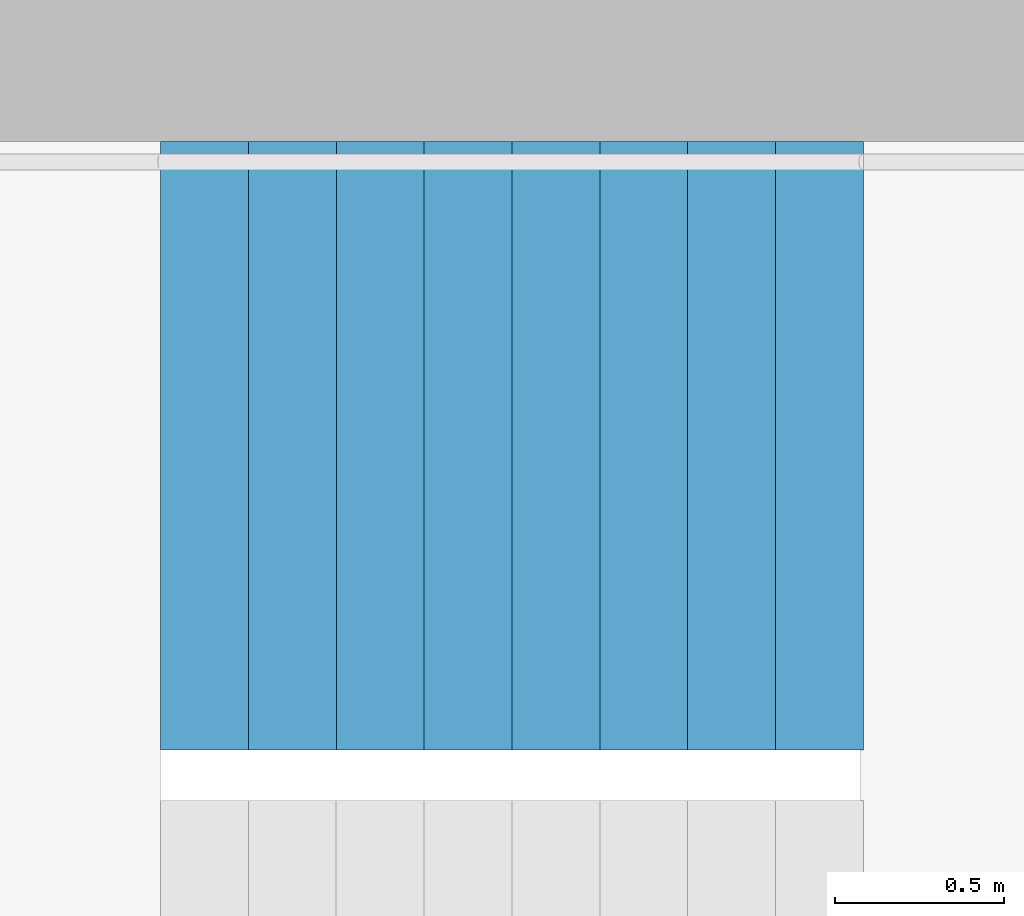
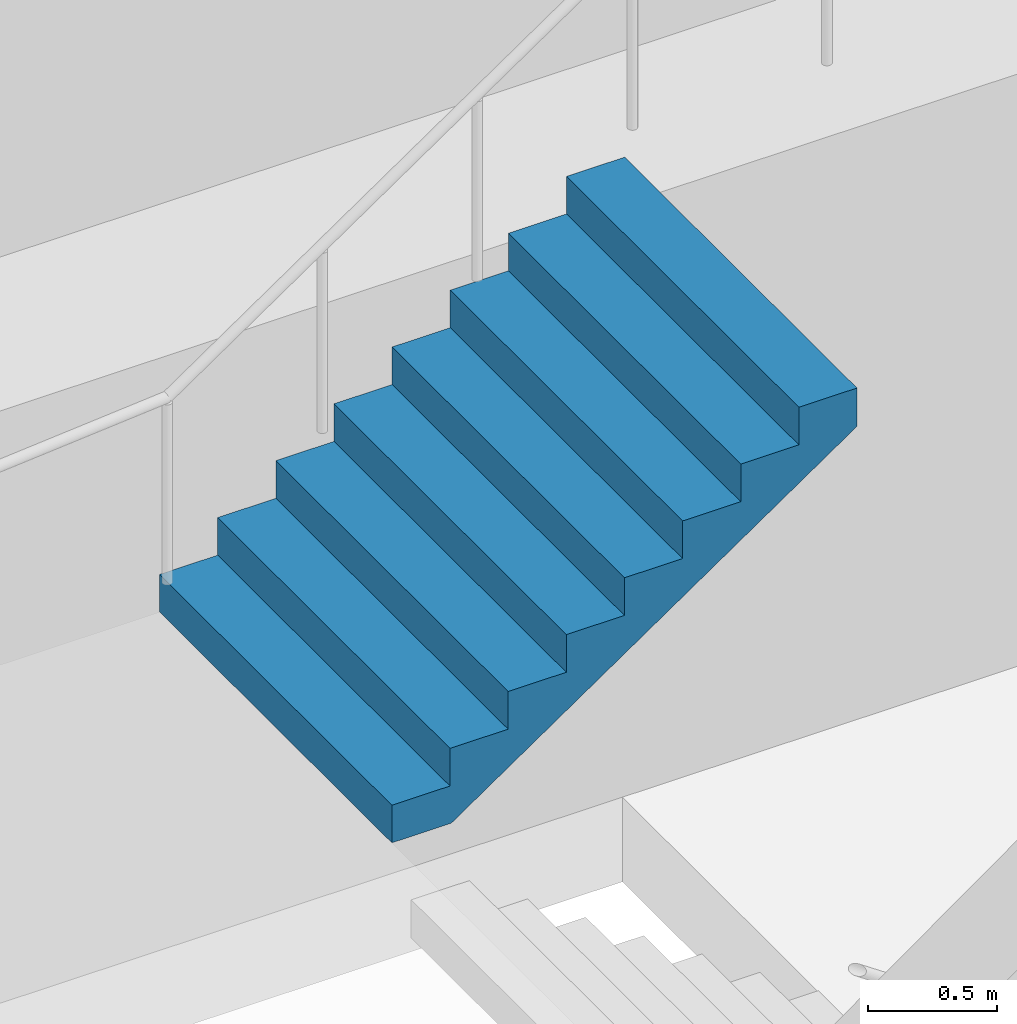
# One storey, part 28 of 29: 1 stair flight, 1 element without a shape of its own.
"""IFC4 building model written with IfcOpenShell, lengths in metres."""

from ifc_helpers import new_model, si_unit, direction, frame, origin, place, context, subcontext, project, spatial, triangles, material, type_object, element, aggregate, save


model = new_model("IFC4")

# Units and contexts
model_context = context("Model", 3, precision=1e-05, world=origin(), true_north=direction((0.0, 1.0)))
body_context = subcontext(model_context, "Body", "Model", "MODEL_VIEW")
ifc_project = project(units=[si_unit("LENGTHUNIT", "METRE"), si_unit("AREAUNIT", "SQUARE_METRE"), si_unit("VOLUMEUNIT", "CUBIC_METRE"), si_unit("PLANEANGLEUNIT", "RADIAN"), si_unit("MASSUNIT", "GRAM", prefix="KILO")], contexts=[model_context])

# Site, building, storey
site_placement = place(None, origin())
site = spatial("IfcSite", under=ifc_project, at=site_placement, CompositionType="ELEMENT")
building_placement = place(site_placement, origin())
building = spatial("IfcBuilding", under=site, at=building_placement, Name="Hakoniwa Tower and Hamabe Station Hall", CompositionType="ELEMENT")
storey_placement = place(building_placement, frame((0.0, 0.0, 45.39990234375)))
storey = spatial("IfcBuildingStorey", under=building, at=storey_placement, Name="L12", CompositionType="ELEMENT", Elevation=45.39990234375)

# Stair, stair flight
ifc_material_1 = material(Name="Concrete C40", Category="concrete")
stair_type = type_object("IfcStairType", Name="ESCAPE STAIR 1800", PredefinedType="HALF_TURN_STAIR", material=ifc_material_1)
stair_placement = place(storey_placement, origin())
stair = element("IfcStair", 1, at=stair_placement, inside=storey, type_object=stair_type, Name="Escape stair ST-3 L12", PredefinedType="HALF_TURN_STAIR")
ifc_material_2 = material(Name="Concrete C40", Category="concrete")
stair_flight_type = type_object("IfcStairFlightType", Name="STAIR FLIGHT 1800", PredefinedType="STRAIGHT", material=ifc_material_2)
stair_flight_placement = place(storey_placement, frame((22.320068359375, 6.60009765625, 1.60009765625), z_axis=(0.0, 0.0, 1.0), x_axis=(1.0, 0.0, 0.0)))
stair_flight = element("IfcStairFlight", 2, at=stair_flight_placement, type_object=stair_flight_type, Name="ST-3 flight 2", NumberOfRisers=9, NumberOfTreads=8, PredefinedType="STRAIGHT", RiserHeight=0.177777778, TreadLength=0.26, context=body_context, shape_type="Tessellation", body=[
    triangles([(0.0, 0.89990234375, 0.0), (0.260009765625, 0.89990234375, 0.0), (0.265625, 0.89990234375, 0.0), (0.52001953125, 0.89990234375, 0.174072265625), (0.780029296875, 0.89990234375, 0.351806640625), (1.0400390625, 0.89990234375, 0.529541015625), (1.300048828125, 0.89990234375, 0.707275390625), (1.56005859375, 0.89990234375, 0.885009765625), (1.820068359375, 0.89990234375, 1.062744140625), (2.080078125, 0.89990234375, 1.24072265625), (2.080078125, 0.89990234375, 1.422119140625), (1.820068359375, 0.89990234375, 1.422119140625), (1.820068359375, 0.89990234375, 1.244384765625), (1.56005859375, 0.89990234375, 1.244384765625), (1.56005859375, 0.89990234375, 1.066650390625), (1.300048828125, 0.89990234375, 1.066650390625), (1.300048828125, 0.89990234375, 0.888916015625), (1.0400390625, 0.89990234375, 0.888916015625), (1.0400390625, 0.89990234375, 0.711181640625), (0.780029296875, 0.89990234375, 0.711181640625), (0.780029296875, 0.89990234375, 0.533447265625), (0.52001953125, 0.89990234375, 0.533447265625), (0.52001953125, 0.89990234375, 0.35546875), (0.265625, 0.89990234375, 0.35546875), (0.260009765625, 0.89990234375, 0.35546875), (0.260009765625, 0.89990234375, 0.177734375), (0.0, 0.89990234375, 0.177734375), (0.0, 0.06005859375, 0.0), (0.260009765625, 0.06005859375, 0.0), (0.265625, 0.06005859375, 0.0), (0.52001953125, 0.06005859375, 0.174072265625), (0.780029296875, 0.06005859375, 0.351806640625), (1.0400390625, 0.06005859375, 0.529541015625), (1.300048828125, 0.06005859375, 0.707275390625), (1.56005859375, 0.06005859375, 0.885009765625), (1.820068359375, 0.06005859375, 1.062744140625), (2.080078125, 0.06005859375, 1.24072265625), (2.080078125, 0.06005859375, 1.422119140625), (1.820068359375, 0.06005859375, 1.422119140625), (1.820068359375, 0.06005859375, 1.244384765625), (1.56005859375, 0.06005859375, 1.244384765625), (1.56005859375, 0.06005859375, 1.066650390625), (1.300048828125, 0.06005859375, 1.066650390625), (1.300048828125, 0.06005859375, 0.888916015625), (1.0400390625, 0.06005859375, 0.888916015625), (1.0400390625, 0.06005859375, 0.711181640625), (0.780029296875, 0.06005859375, 0.711181640625), (0.780029296875, 0.06005859375, 0.533447265625), (0.52001953125, 0.06005859375, 0.533447265625), (0.52001953125, 0.06005859375, 0.35546875), (0.265625, 0.06005859375, 0.35546875), (0.260009765625, 0.06005859375, 0.35546875), (0.260009765625, 0.06005859375, 0.177734375), (0.0, 0.06005859375, 0.177734375), (0.0, 0.04296875, 0.0), (0.260009765625, 0.04296875, 0.0), (0.265625, 0.04296875, 0.0), (0.52001953125, 0.04296875, 0.174072265625), (0.780029296875, 0.04296875, 0.351806640625), (1.0400390625, 0.04296875, 0.529541015625), (1.300048828125, 0.04296875, 0.707275390625), (1.56005859375, 0.04296875, 0.885009765625), (1.820068359375, 0.04296875, 1.062744140625), (2.080078125, 0.04296875, 1.24072265625), (2.080078125, 0.04296875, 1.422119140625), (1.820068359375, 0.04296875, 1.422119140625), (1.820068359375, 0.04296875, 1.244384765625), (1.56005859375, 0.04296875, 1.244384765625), (1.56005859375, 0.04296875, 1.066650390625), (1.300048828125, 0.04296875, 1.066650390625), (1.300048828125, 0.04296875, 0.888916015625), (1.0400390625, 0.04296875, 0.888916015625), (1.0400390625, 0.04296875, 0.711181640625), (0.780029296875, 0.04296875, 0.711181640625), (0.780029296875, 0.04296875, 0.533447265625), (0.52001953125, 0.04296875, 0.533447265625), (0.52001953125, 0.04296875, 0.35546875), (0.265625, 0.04296875, 0.35546875), (0.260009765625, 0.04296875, 0.35546875), (0.260009765625, 0.04296875, 0.177734375), (0.0, 0.04296875, 0.177734375), (0.0, 0.025634765625, 0.0), (0.260009765625, 0.025634765625, 0.0), (0.265625, 0.025634765625, 0.0), (0.52001953125, 0.025634765625, 0.174072265625), (0.780029296875, 0.025634765625, 0.351806640625), (1.0400390625, 0.025634765625, 0.529541015625), (1.300048828125, 0.025634765625, 0.707275390625), (1.56005859375, 0.025634765625, 0.885009765625), (1.820068359375, 0.025634765625, 1.062744140625), (2.080078125, 0.025634765625, 1.24072265625), (2.080078125, 0.025634765625, 1.422119140625), (1.820068359375, 0.025634765625, 1.422119140625), (1.820068359375, 0.025634765625, 1.244384765625), (1.56005859375, 0.025634765625, 1.244384765625), (1.56005859375, 0.025634765625, 1.066650390625), (1.300048828125, 0.025634765625, 1.066650390625), (1.300048828125, 0.025634765625, 0.888916015625), (1.0400390625, 0.025634765625, 0.888916015625), (1.0400390625, 0.025634765625, 0.711181640625), (0.780029296875, 0.025634765625, 0.711181640625), (0.780029296875, 0.025634765625, 0.533447265625), (0.52001953125, 0.025634765625, 0.533447265625), (0.52001953125, 0.025634765625, 0.35546875), (0.265625, 0.025634765625, 0.35546875), (0.260009765625, 0.025634765625, 0.35546875), (0.260009765625, 0.025634765625, 0.177734375), (0.0, 0.025634765625, 0.177734375), (0.0, 0.008544921875, 0.0), (0.260009765625, 0.008544921875, 0.0), (0.265625, 0.008544921875, 0.0), (0.52001953125, 0.008544921875, 0.174072265625), (0.780029296875, 0.008544921875, 0.351806640625), (1.0400390625, 0.008544921875, 0.529541015625), (1.300048828125, 0.008544921875, 0.707275390625), (1.56005859375, 0.008544921875, 0.885009765625), (1.820068359375, 0.008544921875, 1.062744140625), (2.080078125, 0.008544921875, 1.24072265625), (2.080078125, 0.008544921875, 1.422119140625), (1.820068359375, 0.008544921875, 1.422119140625), (1.820068359375, 0.008544921875, 1.244384765625), (1.56005859375, 0.008544921875, 1.244384765625), (1.56005859375, 0.008544921875, 1.066650390625), (1.300048828125, 0.008544921875, 1.066650390625), (1.300048828125, 0.008544921875, 0.888916015625), (1.0400390625, 0.008544921875, 0.888916015625), (1.0400390625, 0.008544921875, 0.711181640625), (0.780029296875, 0.008544921875, 0.711181640625), (0.780029296875, 0.008544921875, 0.533447265625), (0.52001953125, 0.008544921875, 0.533447265625), (0.52001953125, 0.008544921875, 0.35546875), (0.265625, 0.008544921875, 0.35546875), (0.260009765625, 0.008544921875, 0.35546875), (0.260009765625, 0.008544921875, 0.177734375), (0.0, 0.008544921875, 0.177734375), (0.0, -0.008544921875, 0.0), (0.260009765625, -0.008544921875, 0.0), (0.265625, -0.008544921875, 0.0), (0.52001953125, -0.008544921875, 0.174072265625), (0.780029296875, -0.008544921875, 0.351806640625), (1.0400390625, -0.008544921875, 0.529541015625), (1.300048828125, -0.008544921875, 0.707275390625), (1.56005859375, -0.008544921875, 0.885009765625), (1.820068359375, -0.008544921875, 1.062744140625), (2.080078125, -0.008544921875, 1.24072265625), (2.080078125, -0.008544921875, 1.422119140625), (1.820068359375, -0.008544921875, 1.422119140625), (1.820068359375, -0.008544921875, 1.244384765625), (1.56005859375, -0.008544921875, 1.244384765625), (1.56005859375, -0.008544921875, 1.066650390625), (1.300048828125, -0.008544921875, 1.066650390625), (1.300048828125, -0.008544921875, 0.888916015625), (1.0400390625, -0.008544921875, 0.888916015625), (1.0400390625, -0.008544921875, 0.711181640625), (0.780029296875, -0.008544921875, 0.711181640625), (0.780029296875, -0.008544921875, 0.533447265625), (0.52001953125, -0.008544921875, 0.533447265625), (0.52001953125, -0.008544921875, 0.35546875), (0.265625, -0.008544921875, 0.35546875), (0.260009765625, -0.008544921875, 0.35546875), (0.260009765625, -0.008544921875, 0.177734375), (0.0, -0.008544921875, 0.177734375), (0.0, -0.025634765625, 0.0), (0.260009765625, -0.025634765625, 0.0), (0.265625, -0.025634765625, 0.0), (0.52001953125, -0.025634765625, 0.174072265625), (0.780029296875, -0.025634765625, 0.351806640625), (1.0400390625, -0.025634765625, 0.529541015625), (1.300048828125, -0.025634765625, 0.707275390625), (1.56005859375, -0.025634765625, 0.885009765625), (1.820068359375, -0.025634765625, 1.062744140625), (2.080078125, -0.025634765625, 1.24072265625), (2.080078125, -0.025634765625, 1.422119140625), (1.820068359375, -0.025634765625, 1.422119140625), (1.820068359375, -0.025634765625, 1.244384765625), (1.56005859375, -0.025634765625, 1.244384765625), (1.56005859375, -0.025634765625, 1.066650390625), (1.300048828125, -0.025634765625, 1.066650390625), (1.300048828125, -0.025634765625, 0.888916015625), (1.0400390625, -0.025634765625, 0.888916015625), (1.0400390625, -0.025634765625, 0.711181640625), (0.780029296875, -0.025634765625, 0.711181640625), (0.780029296875, -0.025634765625, 0.533447265625), (0.52001953125, -0.025634765625, 0.533447265625), (0.52001953125, -0.025634765625, 0.35546875), (0.265625, -0.025634765625, 0.35546875), (0.260009765625, -0.025634765625, 0.35546875), (0.260009765625, -0.025634765625, 0.177734375), (0.0, -0.025634765625, 0.177734375), (0.0, -0.04296875, 0.0), (0.260009765625, -0.04296875, 0.0), (0.265625, -0.04296875, 0.0), (0.52001953125, -0.04296875, 0.174072265625), (0.780029296875, -0.04296875, 0.351806640625), (1.0400390625, -0.04296875, 0.529541015625), (1.300048828125, -0.04296875, 0.707275390625), (1.56005859375, -0.04296875, 0.885009765625), (1.820068359375, -0.04296875, 1.062744140625), (2.080078125, -0.04296875, 1.24072265625), (2.080078125, -0.04296875, 1.422119140625), (1.820068359375, -0.04296875, 1.422119140625), (1.820068359375, -0.04296875, 1.244384765625), (1.56005859375, -0.04296875, 1.244384765625), (1.56005859375, -0.04296875, 1.066650390625), (1.300048828125, -0.04296875, 1.066650390625), (1.300048828125, -0.04296875, 0.888916015625), (1.0400390625, -0.04296875, 0.888916015625), (1.0400390625, -0.04296875, 0.711181640625), (0.780029296875, -0.04296875, 0.711181640625), (0.780029296875, -0.04296875, 0.533447265625), (0.52001953125, -0.04296875, 0.533447265625), (0.52001953125, -0.04296875, 0.35546875), (0.265625, -0.04296875, 0.35546875), (0.260009765625, -0.04296875, 0.35546875), (0.260009765625, -0.04296875, 0.177734375), (0.0, -0.04296875, 0.177734375), (0.0, -0.06005859375, 0.0), (0.260009765625, -0.06005859375, 0.0), (0.265625, -0.06005859375, 0.0), (0.52001953125, -0.06005859375, 0.174072265625), (0.780029296875, -0.06005859375, 0.351806640625), (1.0400390625, -0.06005859375, 0.529541015625), (1.300048828125, -0.06005859375, 0.707275390625), (1.56005859375, -0.06005859375, 0.885009765625), (1.820068359375, -0.06005859375, 1.062744140625), (2.080078125, -0.06005859375, 1.24072265625), (2.080078125, -0.06005859375, 1.422119140625), (1.820068359375, -0.06005859375, 1.422119140625), (1.820068359375, -0.06005859375, 1.244384765625), (1.56005859375, -0.06005859375, 1.244384765625), (1.56005859375, -0.06005859375, 1.066650390625), (1.300048828125, -0.06005859375, 1.066650390625), (1.300048828125, -0.06005859375, 0.888916015625), (1.0400390625, -0.06005859375, 0.888916015625), (1.0400390625, -0.06005859375, 0.711181640625), (0.780029296875, -0.06005859375, 0.711181640625), (0.780029296875, -0.06005859375, 0.533447265625), (0.52001953125, -0.06005859375, 0.533447265625), (0.52001953125, -0.06005859375, 0.35546875), (0.265625, -0.06005859375, 0.35546875), (0.260009765625, -0.06005859375, 0.35546875), (0.260009765625, -0.06005859375, 0.177734375), (0.0, -0.06005859375, 0.177734375), (0.0, -0.89990234375, 0.0), (0.260009765625, -0.89990234375, 0.0), (0.265625, -0.89990234375, 0.0), (0.52001953125, -0.89990234375, 0.174072265625), (0.780029296875, -0.89990234375, 0.351806640625), (1.0400390625, -0.89990234375, 0.529541015625), (1.300048828125, -0.89990234375, 0.707275390625), (1.56005859375, -0.89990234375, 0.885009765625), (1.820068359375, -0.89990234375, 1.062744140625), (2.080078125, -0.89990234375, 1.24072265625), (2.080078125, -0.89990234375, 1.422119140625), (1.820068359375, -0.89990234375, 1.422119140625), (1.820068359375, -0.89990234375, 1.244384765625), (1.56005859375, -0.89990234375, 1.244384765625), (1.56005859375, -0.89990234375, 1.066650390625), (1.300048828125, -0.89990234375, 1.066650390625), (1.300048828125, -0.89990234375, 0.888916015625), (1.0400390625, -0.89990234375, 0.888916015625), (1.0400390625, -0.89990234375, 0.711181640625), (0.780029296875, -0.89990234375, 0.711181640625), (0.780029296875, -0.89990234375, 0.533447265625), (0.52001953125, -0.89990234375, 0.533447265625), (0.52001953125, -0.89990234375, 0.35546875), (0.265625, -0.89990234375, 0.35546875), (0.260009765625, -0.89990234375, 0.35546875), (0.260009765625, -0.89990234375, 0.177734375), (0.0, -0.89990234375, 0.177734375)], [[2, 27, 26], [245, 269, 270], [2, 1, 27], [245, 270, 244], [3, 25, 24], [246, 267, 268], [3, 26, 25], [246, 268, 269], [3, 2, 26], [246, 269, 245], [4, 24, 23], [247, 266, 267], [4, 3, 24], [247, 267, 246], [5, 22, 21], [248, 264, 265], [5, 23, 22], [248, 265, 266], [5, 4, 23], [248, 266, 247], [6, 20, 19], [249, 262, 263], [6, 21, 20], [249, 263, 264], [6, 5, 21], [249, 264, 248], [7, 18, 17], [250, 260, 261], [7, 19, 18], [250, 261, 262], [7, 6, 19], [250, 262, 249], [8, 16, 15], [251, 258, 259], [8, 17, 16], [251, 259, 260], [8, 7, 17], [251, 260, 250], [9, 14, 13], [252, 256, 257], [9, 15, 14], [252, 257, 258], [9, 8, 15], [252, 258, 251], [10, 12, 11], [253, 254, 255], [10, 13, 12], [253, 255, 256], [10, 9, 13], [253, 256, 252], [1, 2, 29], [1, 29, 28], [28, 29, 56], [28, 56, 55], [55, 56, 83], [55, 83, 82], [82, 83, 110], [82, 110, 109], [109, 110, 137], [109, 137, 136], [136, 137, 164], [136, 164, 163], [163, 164, 191], [163, 191, 190], [190, 191, 218], [190, 218, 217], [217, 218, 245], [217, 245, 244], [2, 3, 30], [2, 30, 29], [29, 30, 57], [29, 57, 56], [56, 57, 84], [56, 84, 83], [83, 84, 111], [83, 111, 110], [110, 111, 138], [110, 138, 137], [137, 138, 165], [137, 165, 164], [164, 165, 192], [164, 192, 191], [191, 192, 219], [191, 219, 218], [218, 219, 246], [218, 246, 245], [3, 4, 31], [3, 31, 30], [30, 31, 58], [30, 58, 57], [57, 58, 85], [57, 85, 84], [84, 85, 112], [84, 112, 111], [111, 112, 139], [111, 139, 138], [138, 139, 166], [138, 166, 165], [165, 166, 193], [165, 193, 192], [192, 193, 220], [192, 220, 219], [219, 220, 247], [219, 247, 246], [4, 5, 32], [4, 32, 31], [31, 32, 59], [31, 59, 58], [58, 59, 86], [58, 86, 85], [85, 86, 113], [85, 113, 112], [112, 113, 140], [112, 140, 139], [139, 140, 167], [139, 167, 166], [166, 167, 194], [166, 194, 193], [193, 194, 221], [193, 221, 220], [220, 221, 248], [220, 248, 247], [5, 6, 33], [5, 33, 32], [32, 33, 60], [32, 60, 59], [59, 60, 87], [59, 87, 86], [86, 87, 114], [86, 114, 113], [113, 114, 141], [113, 141, 140], [140, 141, 168], [140, 168, 167], [167, 168, 195], [167, 195, 194], [194, 195, 222], [194, 222, 221], [221, 222, 249], [221, 249, 248], [6, 7, 34], [6, 34, 33], [33, 34, 61], [33, 61, 60], [60, 61, 88], [60, 88, 87], [87, 88, 115], [87, 115, 114], [114, 115, 142], [114, 142, 141], [141, 142, 169], [141, 169, 168], [168, 169, 196], [168, 196, 195], [195, 196, 223], [195, 223, 222], [222, 223, 250], [222, 250, 249], [7, 8, 35], [7, 35, 34], [34, 35, 62], [34, 62, 61], [61, 62, 89], [61, 89, 88], [88, 89, 116], [88, 116, 115], [115, 116, 143], [115, 143, 142], [142, 143, 170], [142, 170, 169], [169, 170, 197], [169, 197, 196], [196, 197, 224], [196, 224, 223], [223, 224, 251], [223, 251, 250], [8, 9, 36], [8, 36, 35], [35, 36, 63], [35, 63, 62], [62, 63, 90], [62, 90, 89], [89, 90, 117], [89, 117, 116], [116, 117, 144], [116, 144, 143], [143, 144, 171], [143, 171, 170], [170, 171, 198], [170, 198, 197], [197, 198, 225], [197, 225, 224], [224, 225, 252], [224, 252, 251], [9, 10, 37], [9, 37, 36], [36, 37, 64], [36, 64, 63], [63, 64, 91], [63, 91, 90], [90, 91, 118], [90, 118, 117], [117, 118, 145], [117, 145, 144], [144, 145, 172], [144, 172, 171], [171, 172, 199], [171, 199, 198], [198, 199, 226], [198, 226, 225], [225, 226, 253], [225, 253, 252], [10, 11, 38], [10, 38, 37], [37, 38, 65], [37, 65, 64], [64, 65, 92], [64, 92, 91], [91, 92, 119], [91, 119, 118], [118, 119, 146], [118, 146, 145], [145, 146, 173], [145, 173, 172], [172, 173, 200], [172, 200, 199], [199, 200, 227], [199, 227, 226], [226, 227, 254], [226, 254, 253], [11, 12, 39], [11, 39, 38], [38, 39, 66], [38, 66, 65], [65, 66, 93], [65, 93, 92], [92, 93, 120], [92, 120, 119], [119, 120, 147], [119, 147, 146], [146, 147, 174], [146, 174, 173], [173, 174, 201], [173, 201, 200], [200, 201, 228], [200, 228, 227], [227, 228, 255], [227, 255, 254], [12, 13, 40], [12, 40, 39], [39, 40, 67], [39, 67, 66], [66, 67, 94], [66, 94, 93], [93, 94, 121], [93, 121, 120], [120, 121, 148], [120, 148, 147], [147, 148, 175], [147, 175, 174], [174, 175, 202], [174, 202, 201], [201, 202, 229], [201, 229, 228], [228, 229, 256], [228, 256, 255], [13, 14, 41], [13, 41, 40], [40, 41, 68], [40, 68, 67], [67, 68, 95], [67, 95, 94], [94, 95, 122], [94, 122, 121], [121, 122, 149], [121, 149, 148], [148, 149, 176], [148, 176, 175], [175, 176, 203], [175, 203, 202], [202, 203, 230], [202, 230, 229], [229, 230, 257], [229, 257, 256], [14, 15, 42], [14, 42, 41], [41, 42, 69], [41, 69, 68], [68, 69, 96], [68, 96, 95], [95, 96, 123], [95, 123, 122], [122, 123, 150], [122, 150, 149], [149, 150, 177], [149, 177, 176], [176, 177, 204], [176, 204, 203], [203, 204, 231], [203, 231, 230], [230, 231, 258], [230, 258, 257], [15, 16, 43], [15, 43, 42], [42, 43, 70], [42, 70, 69], [69, 70, 97], [69, 97, 96], [96, 97, 124], [96, 124, 123], [123, 124, 151], [123, 151, 150], [150, 151, 178], [150, 178, 177], [177, 178, 205], [177, 205, 204], [204, 205, 232], [204, 232, 231], [231, 232, 259], [231, 259, 258], [16, 17, 44], [16, 44, 43], [43, 44, 71], [43, 71, 70], [70, 71, 98], [70, 98, 97], [97, 98, 125], [97, 125, 124], [124, 125, 152], [124, 152, 151], [151, 152, 179], [151, 179, 178], [178, 179, 206], [178, 206, 205], [205, 206, 233], [205, 233, 232], [232, 233, 260], [232, 260, 259], [17, 18, 45], [17, 45, 44], [44, 45, 72], [44, 72, 71], [71, 72, 99], [71, 99, 98], [98, 99, 126], [98, 126, 125], [125, 126, 153], [125, 153, 152], [152, 153, 180], [152, 180, 179], [179, 180, 207], [179, 207, 206], [206, 207, 234], [206, 234, 233], [233, 234, 261], [233, 261, 260], [18, 19, 46], [18, 46, 45], [45, 46, 73], [45, 73, 72], [72, 73, 100], [72, 100, 99], [99, 100, 127], [99, 127, 126], [126, 127, 154], [126, 154, 153], [153, 154, 181], [153, 181, 180], [180, 181, 208], [180, 208, 207], [207, 208, 235], [207, 235, 234], [234, 235, 262], [234, 262, 261], [19, 20, 47], [19, 47, 46], [46, 47, 74], [46, 74, 73], [73, 74, 101], [73, 101, 100], [100, 101, 128], [100, 128, 127], [127, 128, 155], [127, 155, 154], [154, 155, 182], [154, 182, 181], [181, 182, 209], [181, 209, 208], [208, 209, 236], [208, 236, 235], [235, 236, 263], [235, 263, 262], [20, 21, 48], [20, 48, 47], [47, 48, 75], [47, 75, 74], [74, 75, 102], [74, 102, 101], [101, 102, 129], [101, 129, 128], [128, 129, 156], [128, 156, 155], [155, 156, 183], [155, 183, 182], [182, 183, 210], [182, 210, 209], [209, 210, 237], [209, 237, 236], [236, 237, 264], [236, 264, 263], [21, 22, 49], [21, 49, 48], [48, 49, 76], [48, 76, 75], [75, 76, 103], [75, 103, 102], [102, 103, 130], [102, 130, 129], [129, 130, 157], [129, 157, 156], [156, 157, 184], [156, 184, 183], [183, 184, 211], [183, 211, 210], [210, 211, 238], [210, 238, 237], [237, 238, 265], [237, 265, 264], [22, 23, 50], [22, 50, 49], [49, 50, 77], [49, 77, 76], [76, 77, 104], [76, 104, 103], [103, 104, 131], [103, 131, 130], [130, 131, 158], [130, 158, 157], [157, 158, 185], [157, 185, 184], [184, 185, 212], [184, 212, 211], [211, 212, 239], [211, 239, 238], [238, 239, 266], [238, 266, 265], [23, 24, 51], [23, 51, 50], [50, 51, 78], [50, 78, 77], [77, 78, 105], [77, 105, 104], [104, 105, 132], [104, 132, 131], [131, 132, 159], [131, 159, 158], [158, 159, 186], [158, 186, 185], [185, 186, 213], [185, 213, 212], [212, 213, 240], [212, 240, 239], [239, 240, 267], [239, 267, 266], [24, 25, 52], [24, 52, 51], [51, 52, 79], [51, 79, 78], [78, 79, 106], [78, 106, 105], [105, 106, 133], [105, 133, 132], [132, 133, 160], [132, 160, 159], [159, 160, 187], [159, 187, 186], [186, 187, 214], [186, 214, 213], [213, 214, 241], [213, 241, 240], [240, 241, 268], [240, 268, 267], [25, 26, 53], [25, 53, 52], [52, 53, 80], [52, 80, 79], [79, 80, 107], [79, 107, 106], [106, 107, 134], [106, 134, 133], [133, 134, 161], [133, 161, 160], [160, 161, 188], [160, 188, 187], [187, 188, 215], [187, 215, 214], [214, 215, 242], [214, 242, 241], [241, 242, 269], [241, 269, 268], [26, 27, 54], [26, 54, 53], [53, 54, 81], [53, 81, 80], [80, 81, 108], [80, 108, 107], [107, 108, 135], [107, 135, 134], [134, 135, 162], [134, 162, 161], [161, 162, 189], [161, 189, 188], [188, 189, 216], [188, 216, 215], [215, 216, 243], [215, 243, 242], [242, 243, 270], [242, 270, 269], [27, 1, 28], [27, 28, 54], [54, 28, 55], [54, 55, 81], [81, 55, 82], [81, 82, 108], [108, 82, 109], [108, 109, 135], [135, 109, 136], [135, 136, 162], [162, 136, 163], [162, 163, 189], [189, 163, 190], [189, 190, 216], [216, 190, 217], [216, 217, 243], [243, 217, 244], [243, 244, 270]], closed=True),
])
aggregate(stair, [stair_flight])

save(model, "model.ifc")
